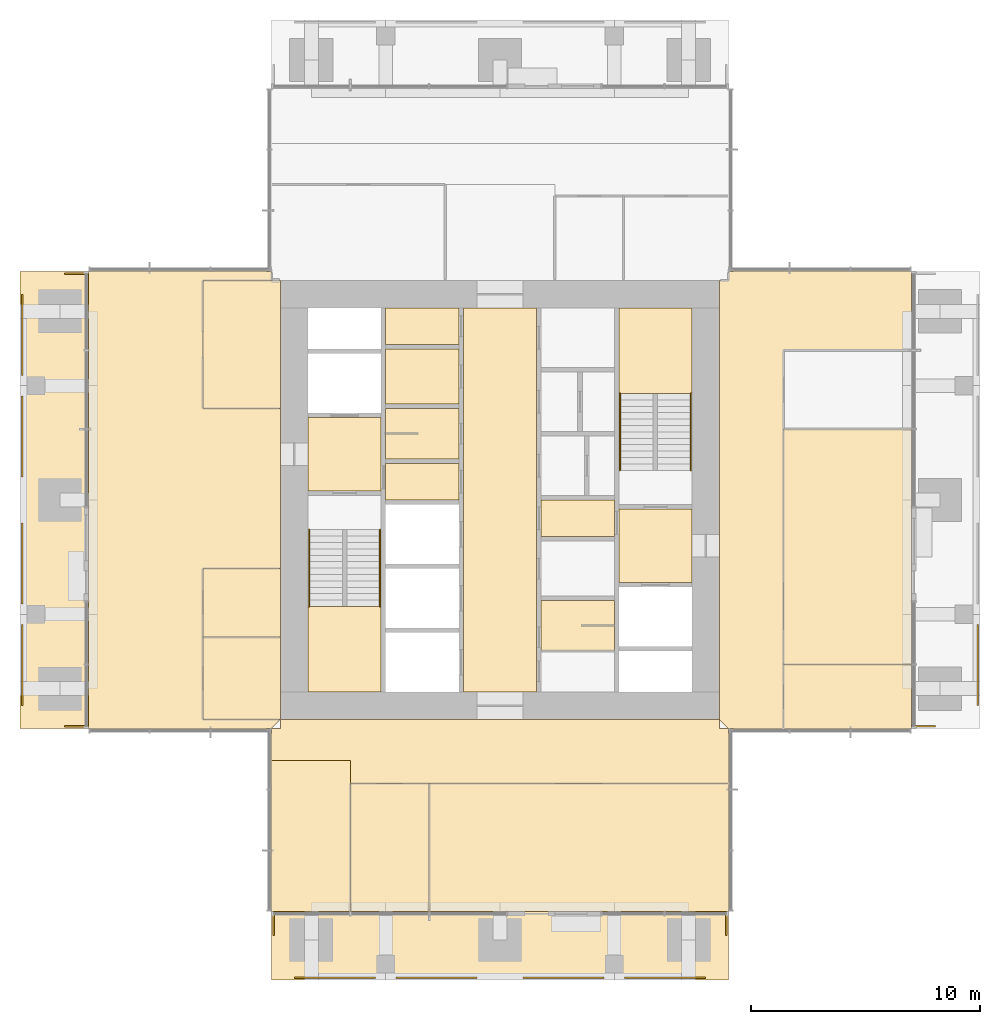
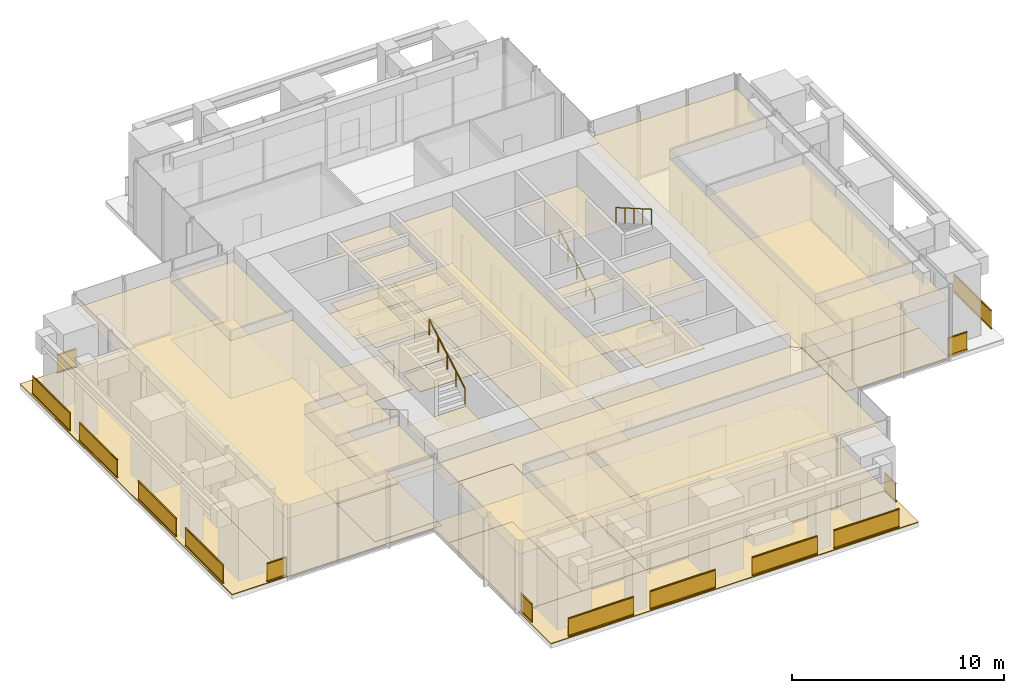
# One storey, part 10 of 12: 43 coverings, 18 railings.
"""IFC4 building model written with IfcOpenShell, lengths in metres."""

from ifc_helpers import new_model, si_unit, direction, frame, origin, origin_2d, place, context, subcontext, project, spatial, polyline, rectangle, circle, outline, extrude, material, layer, layer_set, type_object, element, save


model = new_model("IFC4")

# Units and contexts
model_context = context("Model", 3, precision=1e-05, world=origin(), true_north=direction((0.0, 1.0)))
body_context = subcontext(model_context, "Body", "Model", "MODEL_VIEW")
ifc_project = project(units=[si_unit("LENGTHUNIT", "METRE"), si_unit("AREAUNIT", "SQUARE_METRE"), si_unit("VOLUMEUNIT", "CUBIC_METRE"), si_unit("PLANEANGLEUNIT", "RADIAN"), si_unit("MASSUNIT", "GRAM", prefix="KILO")], contexts=[model_context])

# Site, building, storey
site_placement = place(None, origin())
site = spatial("IfcSite", under=ifc_project, at=site_placement, CompositionType="ELEMENT")
building_placement = place(site_placement, origin())
building = spatial("IfcBuilding", under=site, at=building_placement, Name="Svetlomir Tower", CompositionType="ELEMENT")
storey_placement = place(building_placement, frame((0.0, 0.0, 260.800048828125)))
storey = spatial("IfcBuildingStorey", under=building, at=storey_placement, Name="L62", CompositionType="ELEMENT", Elevation=260.800048828125)

# Railings
ifc_material_1 = material(Name="Bronze anodised aluminium and laminated glass", Category="aluminium")
railing_type_1 = type_object("IfcRailingType", Name="BALCONY GUARD GR1 1100", PredefinedType="GUARDRAIL", material=ifc_material_1)
for number, where, name in (
    (1, (12.0, 0.10009765625, 0.0), "Loggia guard S L62 bay 1"),
    (2, (16.449951171875, 0.10009765625, 0.0), "Loggia guard S L62 bay 2"),
    (3, (22.0, 0.10009765625, 0.0), "Loggia guard S L62 bay 3"),
    (4, (26.449951171875, 0.10009765625, 0.0), "Loggia guard S L62 bay 4"),
):
    element("IfcRailing", number, at=place(storey_placement, frame(where)), inside=storey, type_object=railing_type_1, Name=name, PredefinedType="GUARDRAIL", context=body_context, shape_type="SweptSolid", body=[
        extrude(rectangle(XDim=0.06005859375, YDim=0.10009765625, at=origin_2d()), frame((0.0, 0.0, 0.050048828125), z_axis=(1.0, 0.0, 0.0), x_axis=(0.0, 1.0, 0.0)), (0.0, 0.0, 1.0), 3.550048828125),
        extrude(rectangle(XDim=0.021484375, YDim=0.960205078125, at=origin_2d()), frame((0.0, 0.0, 0.580078125), z_axis=(1.0, 0.0, 0.0), x_axis=(0.0, 1.0, 0.0)), (0.0, 0.0, 1.0), 3.550048828125),
        extrude(rectangle(XDim=0.06005859375, YDim=0.0400390625, at=origin_2d()), frame((0.0, 0.0, 1.080078125), z_axis=(1.0, 0.0, 0.0), x_axis=(0.0, 1.0, 0.0)), (0.0, 0.0, 1.0), 3.550048828125),
    ])
for number, where, name in (
    (5, (11.10009765625, 1.949951171875, 0.0), "Loggia guard S L62 end 1"),
    (6, (30.89990234375, 1.949951171875, 0.0), "Loggia guard S L62 end 2"),
):
    element("IfcRailing", number, at=place(storey_placement, frame(where)), inside=storey, type_object=railing_type_1, Name=name, PredefinedType="GUARDRAIL", context=body_context, shape_type="SweptSolid", body=[
        extrude(rectangle(XDim=0.06005859375, YDim=0.10009765625, at=origin_2d()), frame((0.0, 0.0, 0.050048828125), z_axis=(0.0, 1.0, 0.0), x_axis=(-1.0, 0.0, 0.0)), (0.0, 0.0, 1.0), 1.050048828125),
        extrude(rectangle(XDim=0.021484375, YDim=0.960205078125, at=origin_2d()), frame((0.0, 0.0, 0.580078125), z_axis=(0.0, 1.0, 0.0), x_axis=(-1.0, 0.0, 0.0)), (0.0, 0.0, 1.0), 1.050048828125),
        extrude(rectangle(XDim=0.06005859375, YDim=0.0400390625, at=origin_2d()), frame((0.0, 0.0, 1.080078125), z_axis=(0.0, 1.0, 0.0), x_axis=(-1.0, 0.0, 0.0)), (0.0, 0.0, 1.0), 1.050048828125),
    ])
railing_1_placement = place(storey_placement, frame((41.89990234375, 12.0, 0.0)))
element("IfcRailing", 7, at=railing_1_placement, inside=storey, type_object=railing_type_1, Name="Loggia guard E L62 bay 1", PredefinedType="GUARDRAIL", context=body_context, shape_type="SweptSolid", body=[
    extrude(rectangle(XDim=0.06005859375, YDim=0.10009765625, at=origin_2d()), frame((0.0, 0.0, 0.050048828125), z_axis=(0.0, 1.0, 0.0), x_axis=(-1.0, 0.0, 0.0)), (0.0, 0.0, 1.0), 3.550048828125),
    extrude(rectangle(XDim=0.021484375, YDim=0.960205078125, at=origin_2d()), frame((0.0, 0.0, 0.580078125), z_axis=(0.0, 1.0, 0.0), x_axis=(-1.0, 0.0, 0.0)), (0.0, 0.0, 1.0), 3.550048828125),
    extrude(rectangle(XDim=0.06005859375, YDim=0.0400390625, at=origin_2d()), frame((0.0, 0.0, 1.080078125), z_axis=(0.0, 1.0, 0.0), x_axis=(-1.0, 0.0, 0.0)), (0.0, 0.0, 1.0), 3.550048828125),
])
railing_2_placement = place(storey_placement, frame((40.050048828125, 11.10009765625, 0.0)))
element("IfcRailing", 8, at=railing_2_placement, inside=storey, type_object=railing_type_1, Name="Loggia guard E L62 end 1", PredefinedType="GUARDRAIL", context=body_context, shape_type="SweptSolid", body=[
    extrude(rectangle(XDim=0.06005859375, YDim=0.10009765625, at=origin_2d()), frame((0.0, 0.0, 0.050048828125), z_axis=(-1.0, 0.0, 0.0), x_axis=(0.0, -1.0, 0.0)), (0.0, 0.0, 1.0), 1.050048828125),
    extrude(rectangle(XDim=0.021484375, YDim=0.960205078125, at=origin_2d()), frame((0.0, 0.0, 0.580078125), z_axis=(-1.0, 0.0, 0.0), x_axis=(0.0, -1.0, 0.0)), (0.0, 0.0, 1.0), 1.050048828125),
    extrude(rectangle(XDim=0.06005859375, YDim=0.0400390625, at=origin_2d()), frame((0.0, 0.0, 1.080078125), z_axis=(-1.0, 0.0, 0.0), x_axis=(0.0, -1.0, 0.0)), (0.0, 0.0, 1.0), 1.050048828125),
])
for number, where, name in (
    (9, (0.10009765625, 12.0, 0.0), "Loggia guard W L62 bay 1"),
    (10, (0.10009765625, 16.449951171875, 0.0), "Loggia guard W L62 bay 2"),
    (11, (0.10009765625, 22.0, 0.0), "Loggia guard W L62 bay 3"),
    (12, (0.10009765625, 26.449951171875, 0.0), "Loggia guard W L62 bay 4"),
):
    element("IfcRailing", number, at=place(storey_placement, frame(where)), inside=storey, type_object=railing_type_1, Name=name, PredefinedType="GUARDRAIL", context=body_context, shape_type="SweptSolid", body=[
        extrude(rectangle(XDim=0.06005859375, YDim=0.10009765625, at=origin_2d()), frame((0.0, 0.0, 0.050048828125), z_axis=(0.0, 1.0, 0.0), x_axis=(-1.0, 0.0, 0.0)), (0.0, 0.0, 1.0), 3.550048828125),
        extrude(rectangle(XDim=0.021484375, YDim=0.960205078125, at=origin_2d()), frame((0.0, 0.0, 0.580078125), z_axis=(0.0, 1.0, 0.0), x_axis=(-1.0, 0.0, 0.0)), (0.0, 0.0, 1.0), 3.550048828125),
        extrude(rectangle(XDim=0.06005859375, YDim=0.0400390625, at=origin_2d()), frame((0.0, 0.0, 1.080078125), z_axis=(0.0, 1.0, 0.0), x_axis=(-1.0, 0.0, 0.0)), (0.0, 0.0, 1.0), 3.550048828125),
    ])
for number, where, name in (
    (13, (1.949951171875, 11.10009765625, 0.0), "Loggia guard W L62 end 1"),
    (14, (1.949951171875, 30.89990234375, 0.0), "Loggia guard W L62 end 2"),
):
    element("IfcRailing", number, at=place(storey_placement, frame(where)), inside=storey, type_object=railing_type_1, Name=name, PredefinedType="GUARDRAIL", context=body_context, shape_type="SweptSolid", body=[
        extrude(rectangle(XDim=0.06005859375, YDim=0.10009765625, at=origin_2d()), frame((0.0, 0.0, 0.050048828125), z_axis=(1.0, 0.0, 0.0), x_axis=(0.0, 1.0, 0.0)), (0.0, 0.0, 1.0), 1.050048828125),
        extrude(rectangle(XDim=0.021484375, YDim=0.960205078125, at=origin_2d()), frame((0.0, 0.0, 0.580078125), z_axis=(1.0, 0.0, 0.0), x_axis=(0.0, 1.0, 0.0)), (0.0, 0.0, 1.0), 1.050048828125),
        extrude(rectangle(XDim=0.06005859375, YDim=0.0400390625, at=origin_2d()), frame((0.0, 0.0, 1.080078125), z_axis=(1.0, 0.0, 0.0), x_axis=(0.0, 1.0, 0.0)), (0.0, 0.0, 1.0), 1.050048828125),
    ])

# Coverings
ifc_material_2 = material(Name="Granite paving slabs on pedestals", Category="masonry")
ifc_layer_1 = layer(ifc_material_2, 0.0400390625)
ifc_layer_set_1 = layer_set([ifc_layer_1], Name="Granite paving slabs on pedestals")
covering_type_1 = type_object("IfcCoveringType", Name="BALCONY PAVING 40", PredefinedType="USERDEFINED", material=ifc_layer_set_1)
covering_1_placement = place(storey_placement, origin())
element("IfcCovering", 15, at=covering_1_placement, inside=storey, type_object=covering_type_1, Name="Loggia paving S L62", ObjectType="BALCONY PAVING", PredefinedType="USERDEFINED", context=body_context, shape_type="SweptSolid", body=[
    extrude(outline(polyline([(11.0, 0.0), (31.0, 0.0), (31.0, 3.0), (11.0, 3.0), (11.0, 0.0)])), origin(), (0.0, 0.0, 1.0), 0.0400390625),
])
covering_2_placement = place(storey_placement, origin())
element("IfcCovering", 16, at=covering_2_placement, inside=storey, type_object=covering_type_1, Name="Loggia paving W L62", ObjectType="BALCONY PAVING", PredefinedType="USERDEFINED", context=body_context, shape_type="SweptSolid", body=[
    extrude(outline(polyline([(0.0, 11.0), (3.0, 11.0), (3.0, 31.0), (0.0, 31.0), (0.0, 11.0)])), origin(), (0.0, 0.0, 1.0), 0.0400390625),
])
ifc_material_3 = material(Name="Ceramic floor tile", Category="ceramic")
ifc_layer_2 = layer(ifc_material_3, 0.014892578125)
ifc_layer_set_2 = layer_set([ifc_layer_2], Name="Ceramic floor tile")
covering_type_2 = type_object("IfcCoveringType", Name="CERAMIC TILE FLOOR 15", PredefinedType="FLOORING", material=ifc_layer_set_2)
covering_3_placement = place(storey_placement, origin())
element("IfcCovering", 17, at=covering_3_placement, inside=storey, type_object=covering_type_2, Name="Floor finish L62-04", PredefinedType="FLOORING", context=body_context, shape_type="SweptSolid", body=[
    extrude(outline(polyline([(16.0, 22.800048828125), (19.199951171875, 22.800048828125), (19.199951171875, 25.0), (16.0, 25.0), (16.0, 22.800048828125)])), origin(), (0.0, 0.0, 1.0), 0.014892578125),
])
covering_4_placement = place(storey_placement, origin())
element("IfcCovering", 18, at=covering_4_placement, inside=storey, type_object=covering_type_2, Name="Floor finish L62-05", PredefinedType="FLOORING", context=body_context, shape_type="SweptSolid", body=[
    extrude(outline(polyline([(16.0, 25.199951171875), (19.199951171875, 25.199951171875), (19.199951171875, 27.60009765625), (16.0, 27.60009765625), (16.0, 25.199951171875)])), origin(), (0.0, 0.0, 1.0), 0.014892578125),
])
covering_5_placement = place(storey_placement, origin())
element("IfcCovering", 19, at=covering_5_placement, inside=storey, type_object=covering_type_2, Name="Floor finish L62-09", PredefinedType="FLOORING", context=body_context, shape_type="SweptSolid", body=[
    extrude(outline(polyline([(22.800048828125, 14.39990234375), (26.0, 14.39990234375), (26.0, 16.60009765625), (22.800048828125, 16.60009765625), (22.800048828125, 14.39990234375)])), origin(), (0.0, 0.0, 1.0), 0.014892578125),
])

# Railings
ifc_material_4 = material(Name="Stainless steel", Category="steel")
railing_type_2 = type_object("IfcRailingType", Name="HANDRAIL HR1 900", PredefinedType="HANDRAIL", material=ifc_material_4)
railing_3_placement = place(storey_placement, frame((12.64990234375, 19.699951171875, 0.161376953125)))
element("IfcRailing", 20, at=railing_3_placement, inside=storey, type_object=railing_type_2, Name="Handrail S1 flight 1 L62", PredefinedType="HANDRAIL", context=body_context, shape_type="SweptSolid", body=[
    extrude(circle(Radius=0.02392578125, at=origin_2d()), frame((0.0, 0.0, 0.8759765625), z_axis=(0.0, -0.866175107563, 0.499740615757), x_axis=(1.0, 0.0, 0.0)), (0.0, 0.0, 1.0), 3.87890625),
    extrude(circle(Radius=0.02099609375, at=origin_2d()), origin(), (0.0, 0.0, 1.0), 0.851806640625),
    extrude(circle(Radius=0.02099609375, at=origin_2d()), frame((0.0, -0.83984375, 0.484619140625)), (0.0, 0.0, 1.0), 0.851806640625),
    extrude(circle(Radius=0.02099609375, at=origin_2d()), frame((0.0, -1.679931640625, 0.96923828125)), (0.0, 0.0, 1.0), 0.851806640625),
    extrude(circle(Radius=0.02099609375, at=origin_2d()), frame((0.0, -2.52001953125, 1.453857421875)), (0.0, 0.0, 1.0), 0.851806640625),
    extrude(circle(Radius=0.02099609375, at=origin_2d()), frame((0.0, -3.35986328125, 1.9384765625)), (0.0, 0.0, 1.0), 0.851806640625),
])
for number, where, name in (
    (21, (15.75, 16.340087890625, 2.261474609375), "Handrail S1 flight 2 L62"),
    (22, (26.25, 22.300048828125, 0.161376953125), "Handrail S2 flight 1 L62"),
):
    element("IfcRailing", number, at=place(storey_placement, frame(where)), inside=storey, type_object=railing_type_2, Name=name, PredefinedType="HANDRAIL", context=body_context, shape_type="SweptSolid", body=[
        extrude(circle(Radius=0.02392578125, at=origin_2d()), frame((0.0, 0.0, 0.8759765625), z_axis=(0.0, 0.866175107563, 0.499740615757), x_axis=(-1.0, 0.0, 0.0)), (0.0, 0.0, 1.0), 3.87890625),
        extrude(circle(Radius=0.02099609375, at=origin_2d()), origin(), (0.0, 0.0, 1.0), 0.851806640625),
        extrude(circle(Radius=0.02099609375, at=origin_2d()), frame((0.0, 0.83984375, 0.484619140625)), (0.0, 0.0, 1.0), 0.851806640625),
        extrude(circle(Radius=0.02099609375, at=origin_2d()), frame((0.0, 1.679931640625, 0.96923828125)), (0.0, 0.0, 1.0), 0.851806640625),
        extrude(circle(Radius=0.02099609375, at=origin_2d()), frame((0.0, 2.52001953125, 1.453857421875)), (0.0, 0.0, 1.0), 0.851806640625),
        extrude(circle(Radius=0.02099609375, at=origin_2d()), frame((0.0, 3.35986328125, 1.9384765625)), (0.0, 0.0, 1.0), 0.851806640625),
    ])
railing_4_placement = place(storey_placement, frame((29.35009765625, 25.659912109375, 2.261474609375)))
element("IfcRailing", 23, at=railing_4_placement, inside=storey, type_object=railing_type_2, Name="Handrail S2 flight 2 L62", PredefinedType="HANDRAIL", context=body_context, shape_type="SweptSolid", body=[
    extrude(circle(Radius=0.02392578125, at=origin_2d()), frame((0.0, 0.0, 0.8759765625), z_axis=(0.0, -0.866175107563, 0.499740615757), x_axis=(1.0, 0.0, 0.0)), (0.0, 0.0, 1.0), 3.87890625),
    extrude(circle(Radius=0.02099609375, at=origin_2d()), origin(), (0.0, 0.0, 1.0), 0.851806640625),
    extrude(circle(Radius=0.02099609375, at=origin_2d()), frame((0.0, -0.83984375, 0.484619140625)), (0.0, 0.0, 1.0), 0.851806640625),
    extrude(circle(Radius=0.02099609375, at=origin_2d()), frame((0.0, -1.679931640625, 0.96923828125)), (0.0, 0.0, 1.0), 0.851806640625),
    extrude(circle(Radius=0.02099609375, at=origin_2d()), frame((0.0, -2.52001953125, 1.453857421875)), (0.0, 0.0, 1.0), 0.851806640625),
    extrude(circle(Radius=0.02099609375, at=origin_2d()), frame((0.0, -3.35986328125, 1.9384765625)), (0.0, 0.0, 1.0), 0.851806640625),
])

# Coverings
ifc_material_5 = material(Name="Moisture resistant plasterboard ceiling", Category="gypsum")
ifc_layer_3 = layer(ifc_material_5, 0.012451171875)
ifc_layer_set_3 = layer_set([ifc_layer_3], Name="Moisture resistant plasterboard ceiling")
covering_type_3 = type_object("IfcCoveringType", Name="MOISTURE RESISTANT CEILING 12.5", PredefinedType="CEILING", material=ifc_layer_set_3)
covering_6_placement = place(storey_placement, frame((0.0, 0.0, 3.33740234375)))
element("IfcCovering", 24, at=covering_6_placement, inside=storey, type_object=covering_type_3, Name="Ceiling L62-04", PredefinedType="CEILING", context=body_context, shape_type="SweptSolid", body=[
    extrude(outline(polyline([(16.0, 22.800048828125), (19.199951171875, 22.800048828125), (19.199951171875, 25.0), (16.0, 25.0), (16.0, 22.800048828125)])), origin(), (0.0, 0.0, 1.0), 0.012451171875),
])
covering_7_placement = place(storey_placement, frame((0.0, 0.0, 3.33740234375)))
element("IfcCovering", 25, at=covering_7_placement, inside=storey, type_object=covering_type_3, Name="Ceiling L62-05", PredefinedType="CEILING", context=body_context, shape_type="SweptSolid", body=[
    extrude(outline(polyline([(16.0, 25.199951171875), (19.199951171875, 25.199951171875), (19.199951171875, 27.60009765625), (16.0, 27.60009765625), (16.0, 25.199951171875)])), origin(), (0.0, 0.0, 1.0), 0.012451171875),
])
covering_8_placement = place(storey_placement, frame((0.0, 0.0, 3.33740234375)))
element("IfcCovering", 26, at=covering_8_placement, inside=storey, type_object=covering_type_3, Name="Ceiling L62-09", PredefinedType="CEILING", context=body_context, shape_type="SweptSolid", body=[
    extrude(outline(polyline([(22.800048828125, 14.39990234375), (26.0, 14.39990234375), (26.0, 16.60009765625), (22.800048828125, 16.60009765625), (22.800048828125, 14.39990234375)])), origin(), (0.0, 0.0, 1.0), 0.012451171875),
])
ifc_material_6 = material(Name="Engineered oak floor", Category="wood")
ifc_layer_4 = layer(ifc_material_6, 0.02001953125)
ifc_layer_set_4 = layer_set([ifc_layer_4], Name="Engineered oak floor")
covering_type_4 = type_object("IfcCoveringType", Name="OAK FLOOR 20", PredefinedType="FLOORING", material=ifc_layer_set_4)
covering_9_placement = place(storey_placement, origin())
element("IfcCovering", 27, at=covering_9_placement, inside=storey, type_object=covering_type_4, Name="Floor finish L62-19", PredefinedType="FLOORING", context=body_context, shape_type="SweptSolid", body=[
    extrude(outline(polyline([(14.449951171875, 3.0), (17.89990234375, 3.0), (17.89990234375, 8.60009765625), (14.449951171875, 8.60009765625), (14.449951171875, 3.0)])), origin(), (0.0, 0.0, 1.0), 0.02001953125),
])
covering_10_placement = place(storey_placement, origin())
element("IfcCovering", 28, at=covering_10_placement, inside=storey, type_object=covering_type_4, Name="Floor finish L62-20", PredefinedType="FLOORING", context=body_context, shape_type="SweptSolid", body=[
    extrude(outline(polyline([(17.89990234375, 3.0), (31.0, 3.0), (31.0, 8.60009765625), (17.89990234375, 8.60009765625), (17.89990234375, 3.0)])), origin(), (0.0, 0.0, 1.0), 0.02001953125),
])
covering_11_placement = place(storey_placement, origin())
element("IfcCovering", 29, at=covering_11_placement, inside=storey, type_object=covering_type_4, Name="Floor finish L62-21", PredefinedType="FLOORING", context=body_context, shape_type="SweptSolid", body=[
    extrude(outline(polyline([(33.39990234375, 11.0), (39.0, 11.0), (39.0, 13.800048828125), (33.39990234375, 13.800048828125), (33.39990234375, 11.0)])), origin(), (0.0, 0.0, 1.0), 0.02001953125),
])
covering_12_placement = place(storey_placement, origin())
element("IfcCovering", 30, at=covering_12_placement, inside=storey, type_object=covering_type_4, Name="Floor finish L62-22", PredefinedType="FLOORING", context=body_context, shape_type="SweptSolid", body=[
    extrude(outline(polyline([(33.39990234375, 13.800048828125), (39.0, 13.800048828125), (39.0, 24.10009765625), (33.39990234375, 24.10009765625), (33.39990234375, 13.800048828125)])), origin(), (0.0, 0.0, 1.0), 0.02001953125),
])
covering_13_placement = place(storey_placement, origin())
element("IfcCovering", 31, at=covering_13_placement, inside=storey, type_object=covering_type_4, Name="Floor finish L62-27", PredefinedType="FLOORING", context=body_context, shape_type="SweptSolid", body=[
    extrude(outline(polyline([(8.0, 11.39990234375), (11.39990234375, 11.39990234375), (11.39990234375, 15.0), (8.0, 15.0), (8.0, 11.39990234375)])), origin(), (0.0, 0.0, 1.0), 0.02001953125),
])
covering_14_placement = place(storey_placement, origin())
element("IfcCovering", 32, at=covering_14_placement, inside=storey, type_object=covering_type_4, Name="Floor finish L62-28", PredefinedType="FLOORING", context=body_context, shape_type="SweptSolid", body=[
    extrude(outline(polyline([(8.0, 15.0), (11.39990234375, 15.0), (11.39990234375, 18.0), (8.0, 18.0), (8.0, 15.0)])), origin(), (0.0, 0.0, 1.0), 0.02001953125),
])
covering_15_placement = place(storey_placement, origin())
element("IfcCovering", 33, at=covering_15_placement, inside=storey, type_object=covering_type_4, Name="Floor finish L62-29", PredefinedType="FLOORING", context=body_context, shape_type="SweptSolid", body=[
    extrude(outline(polyline([(8.0, 25.0), (11.39990234375, 25.0), (11.39990234375, 30.60009765625), (8.0, 30.60009765625), (8.0, 25.0)])), origin(), (0.0, 0.0, 1.0), 0.02001953125),
])
covering_16_placement = place(storey_placement, origin())
element("IfcCovering", 34, at=covering_16_placement, inside=storey, type_object=covering_type_4, Name="Floor finish L62-30", PredefinedType="FLOORING", context=body_context, shape_type="SweptSolid", body=[
    extrude(outline(polyline([(14.449951171875, 8.60009765625), (14.449951171875, 9.60009765625), (11.0, 9.60009765625), (11.0, 11.0), (11.39990234375, 11.0), (11.39990234375, 11.39990234375), (30.60009765625, 11.39990234375), (30.60009765625, 11.0), (31.0, 11.0), (31.0, 8.60009765625), (14.449951171875, 8.60009765625)])), origin(), (0.0, 0.0, 1.0), 0.02001953125),
])
covering_17_placement = place(storey_placement, origin())
element("IfcCovering", 35, at=covering_17_placement, inside=storey, type_object=covering_type_4, Name="Floor finish L62-32", PredefinedType="FLOORING", context=body_context, shape_type="SweptSolid", body=[
    extrude(outline(polyline([(14.449951171875, 9.60009765625), (14.449951171875, 3.0), (11.0, 3.0), (11.0, 9.60009765625), (14.449951171875, 9.60009765625)])), origin(), (0.0, 0.0, 1.0), 0.02001953125),
])
covering_18_placement = place(storey_placement, origin())
element("IfcCovering", 36, at=covering_18_placement, inside=storey, type_object=covering_type_4, Name="Floor finish L62-36", PredefinedType="FLOORING", context=body_context, shape_type="SweptSolid", body=[
    extrude(outline(polyline([(3.0, 31.0), (11.0, 31.0), (11.0, 30.60009765625), (8.0, 30.60009765625), (8.0, 25.0), (11.39990234375, 25.0), (11.39990234375, 18.0), (8.0, 18.0), (8.0, 11.39990234375), (11.39990234375, 11.39990234375), (11.0, 11.0), (3.0, 11.0), (3.0, 31.0)])), origin(), (0.0, 0.0, 1.0), 0.02001953125),
])
ifc_material_7 = material(Name="Gypsum plasterboard ceiling", Category="gypsum")
ifc_layer_5 = layer(ifc_material_7, 0.014892578125)
ifc_layer_set_5 = layer_set([ifc_layer_5], Name="Gypsum plasterboard ceiling")
covering_type_5 = type_object("IfcCoveringType", Name="PLASTERBOARD CEILING 15", PredefinedType="CEILING", material=ifc_layer_set_5)
covering_19_placement = place(storey_placement, frame((0.0, 0.0, 3.3349609375)))
element("IfcCovering", 37, at=covering_19_placement, inside=storey, type_object=covering_type_5, Name="Ceiling L62-02", PredefinedType="CEILING", context=body_context, shape_type="SweptSolid", body=[
    extrude(outline(polyline([(12.60009765625, 21.39990234375), (15.800048828125, 21.39990234375), (15.800048828125, 24.60009765625), (12.60009765625, 24.60009765625), (12.60009765625, 21.39990234375)])), origin(), (0.0, 0.0, 1.0), 0.014892578125),
])
covering_20_placement = place(storey_placement, frame((0.0, 0.0, 3.3349609375)))
element("IfcCovering", 38, at=covering_20_placement, inside=storey, type_object=covering_type_5, Name="Ceiling L62-03", PredefinedType="CEILING", context=body_context, shape_type="SweptSolid", body=[
    extrude(outline(polyline([(16.0, 21.0), (19.199951171875, 21.0), (19.199951171875, 22.60009765625), (16.0, 22.60009765625), (16.0, 21.0)])), origin(), (0.0, 0.0, 1.0), 0.014892578125),
])
covering_21_placement = place(storey_placement, frame((0.0, 0.0, 3.3349609375)))
element("IfcCovering", 39, at=covering_21_placement, inside=storey, type_object=covering_type_5, Name="Ceiling L62-06", PredefinedType="CEILING", context=body_context, shape_type="SweptSolid", body=[
    extrude(outline(polyline([(16.0, 27.800048828125), (19.199951171875, 27.800048828125), (19.199951171875, 29.39990234375), (16.0, 29.39990234375), (16.0, 27.800048828125)])), origin(), (0.0, 0.0, 1.0), 0.014892578125),
])
covering_22_placement = place(storey_placement, frame((0.0, 0.0, 3.3349609375)))
element("IfcCovering", 40, at=covering_22_placement, inside=storey, type_object=covering_type_5, Name="Ceiling L62-07", PredefinedType="CEILING", context=body_context, shape_type="SweptSolid", body=[
    extrude(outline(polyline([(19.39990234375, 12.60009765625), (22.60009765625, 12.60009765625), (22.60009765625, 29.39990234375), (19.39990234375, 29.39990234375), (19.39990234375, 12.60009765625)])), origin(), (0.0, 0.0, 1.0), 0.014892578125),
])
covering_23_placement = place(storey_placement, frame((0.0, 0.0, 3.3349609375)))
element("IfcCovering", 41, at=covering_23_placement, inside=storey, type_object=covering_type_5, Name="Ceiling L62-11", PredefinedType="CEILING", context=body_context, shape_type="SweptSolid", body=[
    extrude(outline(polyline([(22.800048828125, 19.39990234375), (26.0, 19.39990234375), (26.0, 21.0), (22.800048828125, 21.0), (22.800048828125, 19.39990234375)])), origin(), (0.0, 0.0, 1.0), 0.014892578125),
])
covering_24_placement = place(storey_placement, frame((0.0, 0.0, 3.3349609375)))
element("IfcCovering", 42, at=covering_24_placement, inside=storey, type_object=covering_type_5, Name="Ceiling L62-12", PredefinedType="CEILING", context=body_context, shape_type="SweptSolid", body=[
    extrude(outline(polyline([(26.199951171875, 17.39990234375), (29.39990234375, 17.39990234375), (29.39990234375, 20.60009765625), (26.199951171875, 20.60009765625), (26.199951171875, 17.39990234375)])), origin(), (0.0, 0.0, 1.0), 0.014892578125),
])
ifc_material_8 = material(Name="Studded rubber floor finish", Category="rubber")
ifc_layer_6 = layer(ifc_material_8, 0.006103515625)
ifc_layer_set_6 = layer_set([ifc_layer_6], Name="Studded rubber floor finish")
covering_type_6 = type_object("IfcCoveringType", Name="RUBBER LANDING FINISH 6", PredefinedType="FLOORING", material=ifc_layer_set_6)
covering_25_placement = place(storey_placement, frame((0.0, 0.0, 2.099853515625)))
element("IfcCovering", 43, at=covering_25_placement, inside=storey, type_object=covering_type_6, Name="Stair S1 landing finish L62", PredefinedType="FLOORING", context=body_context, shape_type="SweptSolid", body=[
    extrude(outline(polyline([(12.60009765625, 12.60009765625), (15.800048828125, 12.60009765625), (15.800048828125, 16.340087890625), (12.60009765625, 16.340087890625), (12.60009765625, 12.60009765625)])), origin(), (0.0, 0.0, 1.0), 0.006103515625),
])
covering_26_placement = place(storey_placement, frame((0.0, 0.0, 2.099853515625)))
element("IfcCovering", 44, at=covering_26_placement, inside=storey, type_object=covering_type_6, Name="Stair S2 landing finish L62", PredefinedType="FLOORING", context=body_context, shape_type="SweptSolid", body=[
    extrude(outline(polyline([(26.199951171875, 25.659912109375), (29.39990234375, 25.659912109375), (29.39990234375, 29.39990234375), (26.199951171875, 29.39990234375), (26.199951171875, 25.659912109375)])), origin(), (0.0, 0.0, 1.0), 0.006103515625),
])
ifc_material_9 = material(Name="Mineral fibre ceiling tile", Category="mineral")
ifc_layer_7 = layer(ifc_material_9, 0.02001953125)
ifc_layer_set_7 = layer_set([ifc_layer_7], Name="Mineral fibre ceiling tile")
covering_type_7 = type_object("IfcCoveringType", Name="SUSPENDED CEILING 20", PredefinedType="CEILING", material=ifc_layer_set_7)
covering_27_placement = place(storey_placement, frame((0.0, 0.0, 3.329833984375)))
element("IfcCovering", 45, at=covering_27_placement, inside=storey, type_object=covering_type_7, Name="Ceiling L62-19", PredefinedType="CEILING", context=body_context, shape_type="SweptSolid", body=[
    extrude(outline(polyline([(14.449951171875, 3.0), (17.89990234375, 3.0), (17.89990234375, 8.60009765625), (14.449951171875, 8.60009765625), (14.449951171875, 3.0)])), origin(), (0.0, 0.0, 1.0), 0.02001953125),
])
covering_28_placement = place(storey_placement, frame((0.0, 0.0, 3.329833984375)))
element("IfcCovering", 46, at=covering_28_placement, inside=storey, type_object=covering_type_7, Name="Ceiling L62-20", PredefinedType="CEILING", context=body_context, shape_type="SweptSolid", body=[
    extrude(outline(polyline([(17.89990234375, 3.0), (31.0, 3.0), (31.0, 8.60009765625), (17.89990234375, 8.60009765625), (17.89990234375, 3.0)])), origin(), (0.0, 0.0, 1.0), 0.02001953125),
])
covering_29_placement = place(storey_placement, frame((0.0, 0.0, 3.329833984375)))
element("IfcCovering", 47, at=covering_29_placement, inside=storey, type_object=covering_type_7, Name="Ceiling L62-21", PredefinedType="CEILING", context=body_context, shape_type="SweptSolid", body=[
    extrude(outline(polyline([(33.39990234375, 11.0), (39.0, 11.0), (39.0, 13.800048828125), (33.39990234375, 13.800048828125), (33.39990234375, 11.0)])), origin(), (0.0, 0.0, 1.0), 0.02001953125),
])
covering_30_placement = place(storey_placement, frame((0.0, 0.0, 3.329833984375)))
element("IfcCovering", 48, at=covering_30_placement, inside=storey, type_object=covering_type_7, Name="Ceiling L62-22", PredefinedType="CEILING", context=body_context, shape_type="SweptSolid", body=[
    extrude(outline(polyline([(33.39990234375, 13.800048828125), (39.0, 13.800048828125), (39.0, 24.10009765625), (33.39990234375, 24.10009765625), (33.39990234375, 13.800048828125)])), origin(), (0.0, 0.0, 1.0), 0.02001953125),
])
covering_31_placement = place(storey_placement, frame((0.0, 0.0, 3.329833984375)))
element("IfcCovering", 49, at=covering_31_placement, inside=storey, type_object=covering_type_7, Name="Ceiling L62-27", PredefinedType="CEILING", context=body_context, shape_type="SweptSolid", body=[
    extrude(outline(polyline([(8.0, 11.39990234375), (11.39990234375, 11.39990234375), (11.39990234375, 15.0), (8.0, 15.0), (8.0, 11.39990234375)])), origin(), (0.0, 0.0, 1.0), 0.02001953125),
])
covering_32_placement = place(storey_placement, frame((0.0, 0.0, 3.329833984375)))
element("IfcCovering", 50, at=covering_32_placement, inside=storey, type_object=covering_type_7, Name="Ceiling L62-28", PredefinedType="CEILING", context=body_context, shape_type="SweptSolid", body=[
    extrude(outline(polyline([(8.0, 15.0), (11.39990234375, 15.0), (11.39990234375, 18.0), (8.0, 18.0), (8.0, 15.0)])), origin(), (0.0, 0.0, 1.0), 0.02001953125),
])
covering_33_placement = place(storey_placement, frame((0.0, 0.0, 3.329833984375)))
element("IfcCovering", 51, at=covering_33_placement, inside=storey, type_object=covering_type_7, Name="Ceiling L62-29", PredefinedType="CEILING", context=body_context, shape_type="SweptSolid", body=[
    extrude(outline(polyline([(8.0, 25.0), (11.39990234375, 25.0), (11.39990234375, 30.60009765625), (8.0, 30.60009765625), (8.0, 25.0)])), origin(), (0.0, 0.0, 1.0), 0.02001953125),
])
covering_34_placement = place(storey_placement, frame((0.0, 0.0, 3.329833984375)))
element("IfcCovering", 52, at=covering_34_placement, inside=storey, type_object=covering_type_7, Name="Ceiling L62-30", PredefinedType="CEILING", context=body_context, shape_type="SweptSolid", body=[
    extrude(outline(polyline([(14.449951171875, 8.60009765625), (14.449951171875, 9.60009765625), (11.0, 9.60009765625), (11.0, 11.0), (11.39990234375, 11.0), (11.39990234375, 11.39990234375), (30.60009765625, 11.39990234375), (30.60009765625, 11.0), (31.0, 11.0), (31.0, 8.60009765625), (14.449951171875, 8.60009765625)])), origin(), (0.0, 0.0, 1.0), 0.02001953125),
])
covering_35_placement = place(storey_placement, frame((0.0, 0.0, 3.329833984375)))
element("IfcCovering", 53, at=covering_35_placement, inside=storey, type_object=covering_type_7, Name="Ceiling L62-32", PredefinedType="CEILING", context=body_context, shape_type="SweptSolid", body=[
    extrude(outline(polyline([(14.449951171875, 9.60009765625), (14.449951171875, 3.0), (11.0, 3.0), (11.0, 9.60009765625), (14.449951171875, 9.60009765625)])), origin(), (0.0, 0.0, 1.0), 0.02001953125),
])
covering_36_placement = place(storey_placement, frame((0.0, 0.0, 3.329833984375)))
element("IfcCovering", 54, at=covering_36_placement, inside=storey, type_object=covering_type_7, Name="Ceiling L62-33", PredefinedType="CEILING", context=body_context, shape_type="SweptSolid", body=[
    extrude(outline(polyline([(31.0, 30.60009765625), (31.0, 31.0), (39.0, 31.0), (39.0, 27.550048828125), (33.39990234375, 27.550048828125), (33.39990234375, 11.0), (31.0, 11.0), (30.60009765625, 11.39990234375), (30.60009765625, 30.60009765625), (31.0, 30.60009765625)])), origin(), (0.0, 0.0, 1.0), 0.02001953125),
])
covering_37_placement = place(storey_placement, frame((0.0, 0.0, 3.329833984375)))
element("IfcCovering", 55, at=covering_37_placement, inside=storey, type_object=covering_type_7, Name="Ceiling L62-36", PredefinedType="CEILING", context=body_context, shape_type="SweptSolid", body=[
    extrude(outline(polyline([(3.0, 31.0), (11.0, 31.0), (11.0, 30.60009765625), (8.0, 30.60009765625), (8.0, 25.0), (11.39990234375, 25.0), (11.39990234375, 18.0), (8.0, 18.0), (8.0, 11.39990234375), (11.39990234375, 11.39990234375), (11.0, 11.0), (3.0, 11.0), (3.0, 31.0)])), origin(), (0.0, 0.0, 1.0), 0.02001953125),
])
ifc_material_10 = material(Name="Bronze-aggregate terrazzo", Category="stone")
ifc_layer_8 = layer(ifc_material_10, 0.030029296875)
ifc_layer_set_8 = layer_set([ifc_layer_8], Name="Bronze-aggregate terrazzo")
covering_type_8 = type_object("IfcCoveringType", Name="TERRAZZO FLOOR 30", PredefinedType="FLOORING", material=ifc_layer_set_8)
covering_38_placement = place(storey_placement, origin())
element("IfcCovering", 56, at=covering_38_placement, inside=storey, type_object=covering_type_8, Name="Floor finish L62-02", PredefinedType="FLOORING", context=body_context, shape_type="SweptSolid", body=[
    extrude(outline(polyline([(12.60009765625, 21.39990234375), (15.800048828125, 21.39990234375), (15.800048828125, 24.60009765625), (12.60009765625, 24.60009765625), (12.60009765625, 21.39990234375)])), origin(), (0.0, 0.0, 1.0), 0.030029296875),
])
covering_39_placement = place(storey_placement, origin())
element("IfcCovering", 57, at=covering_39_placement, inside=storey, type_object=covering_type_8, Name="Floor finish L62-03", PredefinedType="FLOORING", context=body_context, shape_type="SweptSolid", body=[
    extrude(outline(polyline([(16.0, 21.0), (19.199951171875, 21.0), (19.199951171875, 22.60009765625), (16.0, 22.60009765625), (16.0, 21.0)])), origin(), (0.0, 0.0, 1.0), 0.030029296875),
])
covering_40_placement = place(storey_placement, origin())
element("IfcCovering", 58, at=covering_40_placement, inside=storey, type_object=covering_type_8, Name="Floor finish L62-06", PredefinedType="FLOORING", context=body_context, shape_type="SweptSolid", body=[
    extrude(outline(polyline([(16.0, 27.800048828125), (19.199951171875, 27.800048828125), (19.199951171875, 29.39990234375), (16.0, 29.39990234375), (16.0, 27.800048828125)])), origin(), (0.0, 0.0, 1.0), 0.030029296875),
])
covering_41_placement = place(storey_placement, origin())
element("IfcCovering", 59, at=covering_41_placement, inside=storey, type_object=covering_type_8, Name="Floor finish L62-07", PredefinedType="FLOORING", context=body_context, shape_type="SweptSolid", body=[
    extrude(outline(polyline([(19.39990234375, 12.60009765625), (22.60009765625, 12.60009765625), (22.60009765625, 29.39990234375), (19.39990234375, 29.39990234375), (19.39990234375, 12.60009765625)])), origin(), (0.0, 0.0, 1.0), 0.030029296875),
])
covering_42_placement = place(storey_placement, origin())
element("IfcCovering", 60, at=covering_42_placement, inside=storey, type_object=covering_type_8, Name="Floor finish L62-11", PredefinedType="FLOORING", context=body_context, shape_type="SweptSolid", body=[
    extrude(outline(polyline([(22.800048828125, 19.39990234375), (26.0, 19.39990234375), (26.0, 21.0), (22.800048828125, 21.0), (22.800048828125, 19.39990234375)])), origin(), (0.0, 0.0, 1.0), 0.030029296875),
])
covering_43_placement = place(storey_placement, origin())
element("IfcCovering", 61, at=covering_43_placement, inside=storey, type_object=covering_type_8, Name="Floor finish L62-12", PredefinedType="FLOORING", context=body_context, shape_type="SweptSolid", body=[
    extrude(outline(polyline([(26.199951171875, 17.39990234375), (29.39990234375, 17.39990234375), (29.39990234375, 20.60009765625), (26.199951171875, 20.60009765625), (26.199951171875, 17.39990234375)])), origin(), (0.0, 0.0, 1.0), 0.030029296875),
])

save(model, "model.ifc")
